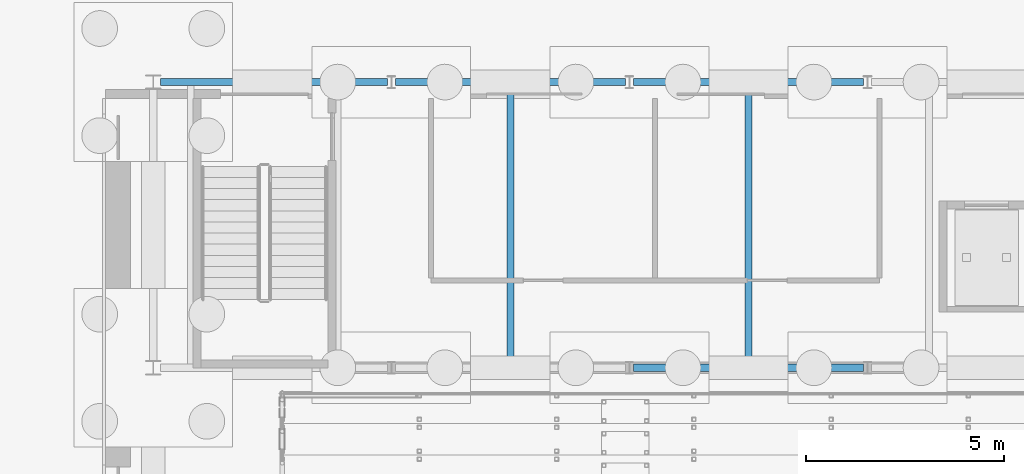
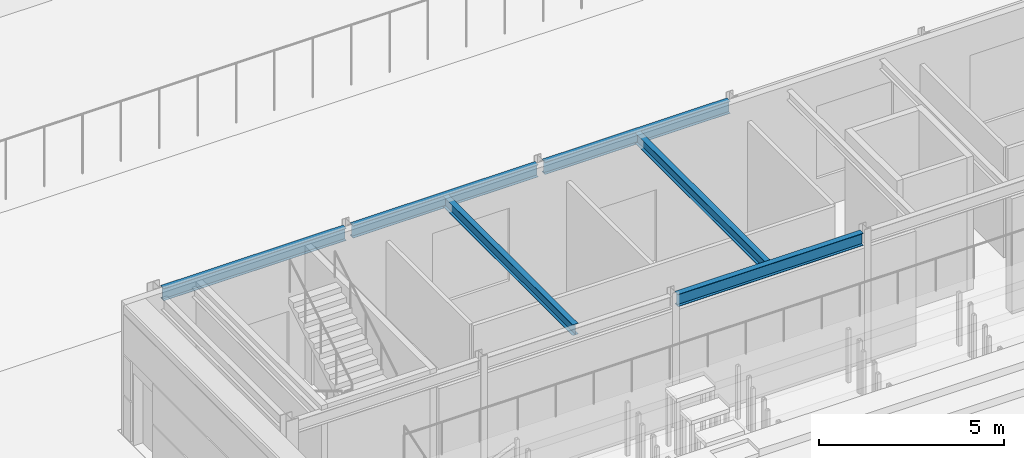
# One storey, part 45 of 139: 6 beams.
"""IFC4 building model written with IfcOpenShell, lengths in metres."""

from ifc_helpers import new_model, si_unit, direction, frame, origin, origin_2d, place, context, subcontext, project, spatial, i_section, extrude, material, material_profile, profile_set, type_object, element, save


model = new_model("IFC4")

# Units and contexts
model_context = context("Model", 3, precision=1e-05, world=origin(), true_north=direction((0.0, 1.0)))
body_context = subcontext(model_context, "Body", "Model", "MODEL_VIEW")
ifc_project = project(units=[si_unit("LENGTHUNIT", "METRE"), si_unit("AREAUNIT", "SQUARE_METRE"), si_unit("VOLUMEUNIT", "CUBIC_METRE"), si_unit("PLANEANGLEUNIT", "RADIAN"), si_unit("MASSUNIT", "GRAM", prefix="KILO")], contexts=[model_context])

# Site, building, storey
site_placement = place(None, origin())
site = spatial("IfcSite", under=ifc_project, at=site_placement, CompositionType="ELEMENT")
building_placement = place(site_placement, origin())
building = spatial("IfcBuilding", under=site, at=building_placement, Name="Verrick Yard Athletic Hall", CompositionType="ELEMENT")
storey_placement = place(building_placement, origin())
storey = spatial("IfcBuildingStorey", under=building, at=storey_placement, Name="L00", CompositionType="ELEMENT", Elevation=0.0)

# Beams
ifc_material = material(Name="Structural steel 350W (CSA G40.21)", Category="steel")
ifc_material_profile_1 = material_profile(ifc_material, i_section(OverallWidth=0.177978515625, OverallDepth=0.406982421875, WebThickness=0.0078125, FlangeThickness=0.0126953125, at=origin_2d()), Name="W410x60")
ifc_profile_set_1 = profile_set([ifc_material_profile_1], Name="Structural steel 350W (CSA G40.21)")
beam_type_1 = type_object("IfcBeamType", Name="HB girder W410x60", PredefinedType="BEAM", material=ifc_profile_set_1)
beam_1_placement = place(storey_placement, frame((133.702392578125, 100.800048828125, 4.04638671875), z_axis=(1.0, 0.0, 0.0), x_axis=(0.0, 1.0, 0.0)))
element("IfcBeam", 1, at=beam_1_placement, inside=storey, type_object=beam_type_1, Name="HB-GB-A-L01-S3", PredefinedType="BEAM", context=body_context, shape_type="SweptSolid", body=[
    extrude(i_section(OverallWidth=0.177978515625, OverallDepth=0.406982421875, WebThickness=0.0078125, FlangeThickness=0.0126953125, at=origin_2d()), origin(), (0.0, 0.0, 1.0), 5.795166015625),
])
beam_2_placement = place(storey_placement, frame((121.784423828125, 108.0, 4.04638671875), z_axis=(1.0, 0.0, 0.0), x_axis=(0.0, 1.0, 0.0)))
element("IfcBeam", 2, at=beam_2_placement, inside=storey, type_object=beam_type_1, Name="HB-GB-A-L01-N1", PredefinedType="BEAM", context=body_context, shape_type="SweptSolid", body=[
    extrude(i_section(OverallWidth=0.177978515625, OverallDepth=0.406982421875, WebThickness=0.0078125, FlangeThickness=0.0126953125, at=origin_2d()), origin(), (0.0, 0.0, 1.0), 5.713134765625),
])
for number, where, z_axis, x_axis, name in (
    (3, (127.702392578125, 108.0, 4.04638671875), (1.0, 0.0, 0.0), (0.0, 1.0, 0.0), "HB-GB-A-L01-N2"),
    (4, (133.702392578125, 108.0, 4.04638671875), (1.0, 0.0, 0.0), (0.0, 1.0, 0.0), "HB-GB-A-L01-N3"),
):
    element("IfcBeam", number, at=place(storey_placement, frame(where, z_axis=z_axis, x_axis=x_axis)), inside=storey, type_object=beam_type_1, Name=name, PredefinedType="BEAM", context=body_context, shape_type="SweptSolid", body=[
        extrude(i_section(OverallWidth=0.177978515625, OverallDepth=0.406982421875, WebThickness=0.0078125, FlangeThickness=0.0126953125, at=origin_2d()), origin(), (0.0, 0.0, 1.0), 5.795166015625),
    ])
ifc_material_profile_2 = material_profile(ifc_material, i_section(OverallWidth=0.1708984375, OverallDepth=0.35498046875, WebThickness=0.007080078125, FlangeThickness=0.01171875, at=origin_2d()), Name="W360x51")
ifc_profile_set_2 = profile_set([ifc_material_profile_2], Name="Structural steel 350W (CSA G40.21)")
beam_type_2 = type_object("IfcBeamType", Name="HB secondary beam W360x51", PredefinedType="JOIST", material=ifc_profile_set_2)
for number, where, z_axis, x_axis, name in (
    (5, (130.60009765625, 100.888916015625, 4.072509765625), (0.0, 1.0, 0.0), (-1.0, 0.0, 0.0), "HB-SB-A-L01-2"),
    (6, (136.60009765625, 100.888916015625, 4.072509765625), (0.0, 1.0, 0.0), (-1.0, 0.0, 0.0), "HB-SB-A-L01-3"),
):
    element("IfcBeam", number, at=place(storey_placement, frame(where, z_axis=z_axis, x_axis=x_axis)), inside=storey, type_object=beam_type_2, Name=name, PredefinedType="JOIST", context=body_context, shape_type="SweptSolid", body=[
        extrude(i_section(OverallWidth=0.1708984375, OverallDepth=0.35498046875, WebThickness=0.007080078125, FlangeThickness=0.01171875, at=origin_2d()), origin(), (0.0, 0.0, 1.0), 7.02197265625),
    ])

save(model, "model.ifc")
